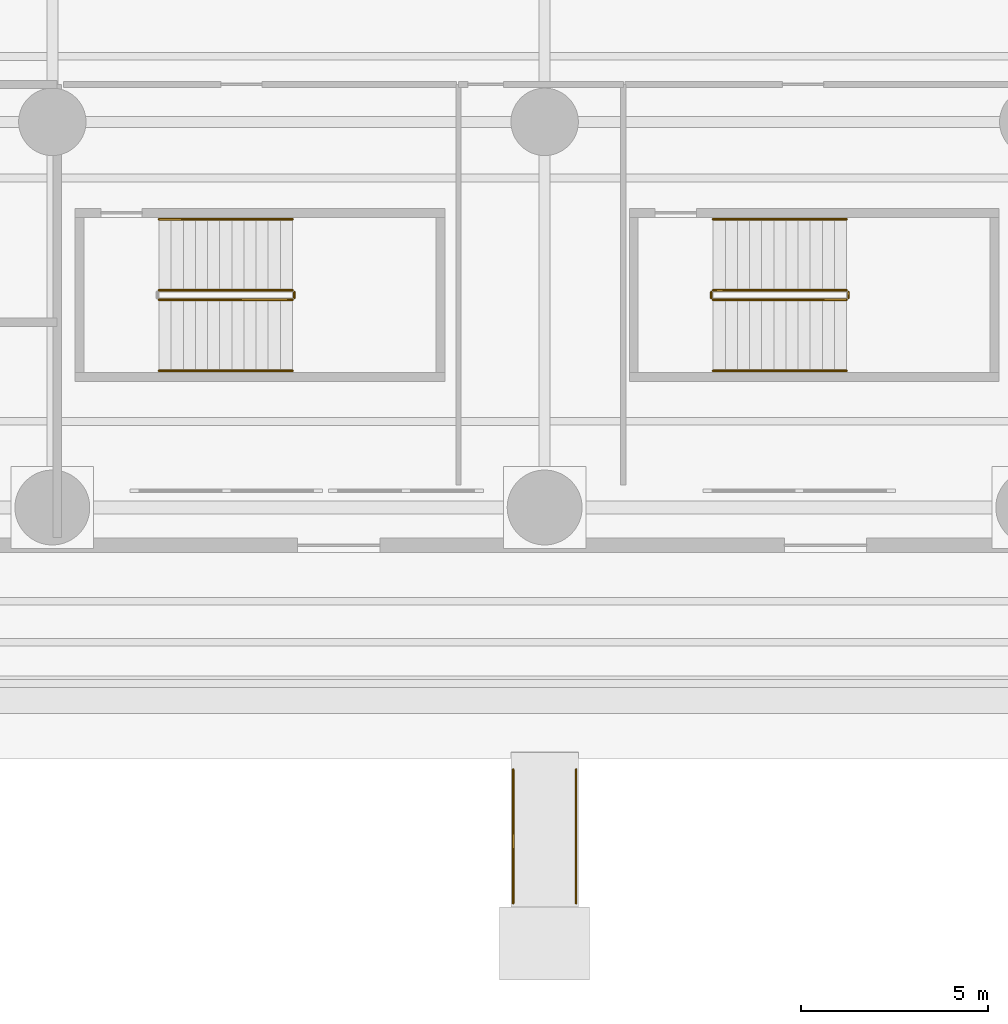
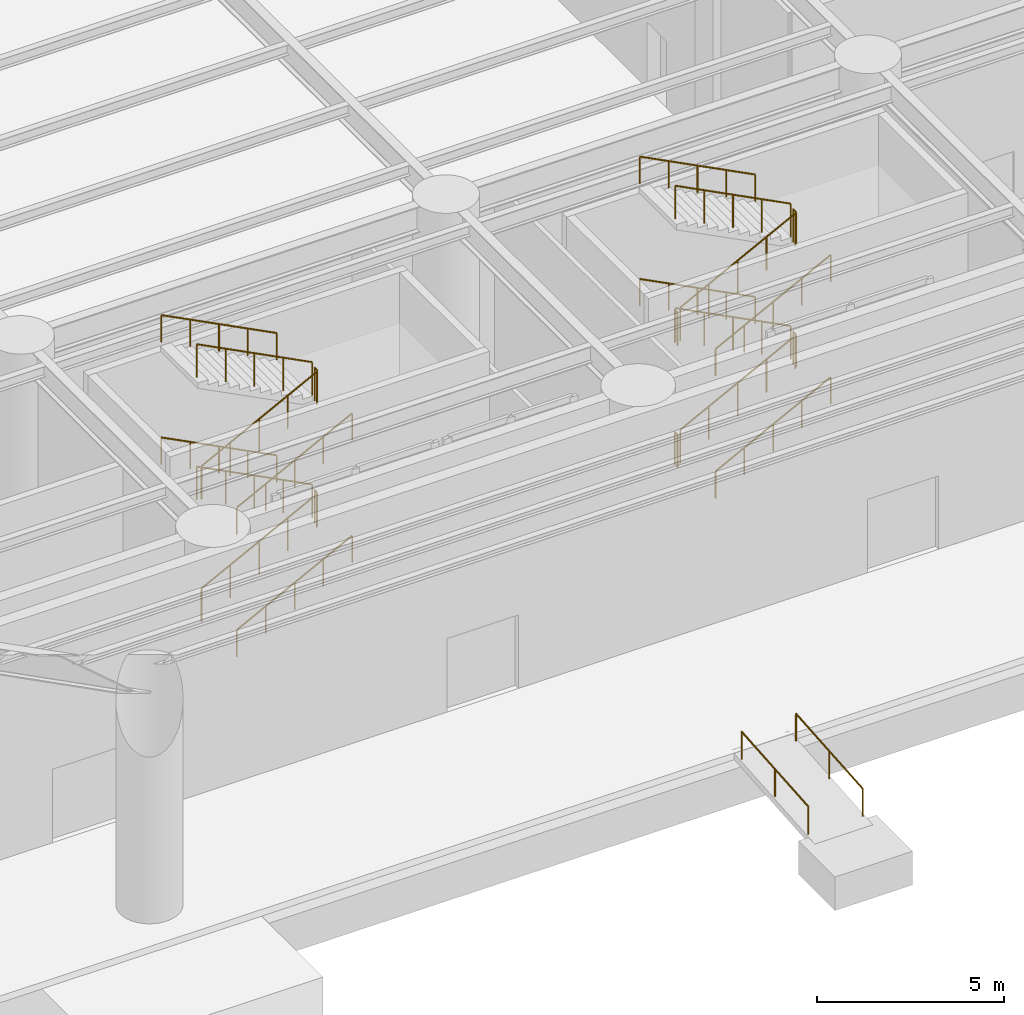
# One storey, part 17 of 25: 24 railings.
"""IFC4 building model written with IfcOpenShell, lengths in metres."""

from ifc_helpers import new_model, si_unit, direction, frame, origin, origin_2d, place, context, subcontext, project, spatial, circle, extrude, material, type_object, element, save


model = new_model("IFC4")

# Units and contexts
model_context = context("Model", 3, precision=1e-05, world=origin(), true_north=direction((0.0, 1.0)))
body_context = subcontext(model_context, "Body", "Model", "MODEL_VIEW")
ifc_project = project(units=[si_unit("LENGTHUNIT", "METRE"), si_unit("AREAUNIT", "SQUARE_METRE"), si_unit("VOLUMEUNIT", "CUBIC_METRE"), si_unit("PLANEANGLEUNIT", "RADIAN"), si_unit("MASSUNIT", "GRAM", prefix="KILO")], contexts=[model_context])

# Site, building, storey
site_placement = place(None, origin())
site = spatial("IfcSite", under=ifc_project, at=site_placement, CompositionType="ELEMENT")
building_placement = place(site_placement, origin())
building = spatial("IfcBuilding", under=site, at=building_placement, Name="Kolvaren Arena Tower", CompositionType="ELEMENT")
storey_placement = place(building_placement, origin())
storey = spatial("IfcBuildingStorey", under=building, at=storey_placement, Name="L00", CompositionType="ELEMENT", Elevation=0.0)

# Railings
ifc_material_1 = material(Name="Painted galvanized steel", Category="steel")
railing_type_1 = type_object("IfcRailingType", Name="GUARD-ST-110", PredefinedType="GUARDRAIL", material=ifc_material_1)
railing_1_placement = place(storey_placement, frame((27.199951171875, 6.75, 0.166748046875)))
element("IfcRailing", 1, at=railing_1_placement, inside=storey, type_object=railing_type_1, Name="L00 ST-A2 stair guard 1", PredefinedType="GUARDRAIL", context=body_context, shape_type="SweptSolid", body=[
    extrude(circle(Radius=0.02392578125, at=origin_2d()), frame((0.0, 0.0, 1.076171875), z_axis=(0.889251698267, 0.0, 0.45741820813), x_axis=(0.0, 1.0, 0.0)), (0.0, 0.0, 1.0), 4.0078125),
    extrude(circle(Radius=0.02099609375, at=origin_2d()), origin(), (0.0, 0.0, 1.0), 1.052001953125),
    extrude(circle(Radius=0.02099609375, at=origin_2d()), frame((0.89111328125, 0.0, 0.458251953125)), (0.0, 0.0, 1.0), 1.052001953125),
    extrude(circle(Radius=0.02099609375, at=origin_2d()), frame((1.781982421875, 0.0, 0.91650390625)), (0.0, 0.0, 1.0), 1.052001953125),
    extrude(circle(Radius=0.02099609375, at=origin_2d()), frame((2.6728515625, 0.0, 1.375)), (0.0, 0.0, 1.0), 1.052001953125),
    extrude(circle(Radius=0.02099609375, at=origin_2d()), frame((3.56396484375, 0.0, 1.833251953125)), (0.0, 0.0, 1.0), 1.052001953125),
])
railing_2_placement = place(storey_placement, frame((30.81396484375, 6.800048828125, 2.0)))
element("IfcRailing", 2, at=railing_2_placement, inside=storey, type_object=railing_type_1, Name="L00 ST-A2 stair guard 2", PredefinedType="GUARDRAIL", context=body_context, shape_type="SweptSolid", body=[
    extrude(circle(Radius=0.02392578125, at=origin_2d()), frame((0.0, 0.0, 1.076171875), z_axis=(0.0, 1.0, 0.0), x_axis=(-1.0, 0.0, 0.0)), (0.0, 0.0, 1.0), 0.14990234375),
    extrude(circle(Radius=0.02099609375, at=origin_2d()), origin(), (0.0, 0.0, 1.0), 1.052001953125),
    extrude(circle(Radius=0.02099609375, at=origin_2d()), frame((0.0, 0.14990234375, 0.0)), (0.0, 0.0, 1.0), 1.052001953125),
])
railing_3_placement = place(storey_placement, frame((30.763916015625, 7.0, 2.166748046875)))
element("IfcRailing", 3, at=railing_3_placement, inside=storey, type_object=railing_type_1, Name="L00 ST-A2 stair guard 3", PredefinedType="GUARDRAIL", context=body_context, shape_type="SweptSolid", body=[
    extrude(circle(Radius=0.02392578125, at=origin_2d()), frame((0.0, 0.0, 1.076171875), z_axis=(-0.889251698267, 0.0, 0.45741820813), x_axis=(0.0, -1.0, 0.0)), (0.0, 0.0, 1.0), 4.0078125),
    extrude(circle(Radius=0.02099609375, at=origin_2d()), origin(), (0.0, 0.0, 1.0), 1.052001953125),
    extrude(circle(Radius=0.02099609375, at=origin_2d()), frame((-0.89111328125, 0.0, 0.458251953125)), (0.0, 0.0, 1.0), 1.052001953125),
    extrude(circle(Radius=0.02099609375, at=origin_2d()), frame((-1.781982421875, 0.0, 0.91650390625)), (0.0, 0.0, 1.0), 1.052001953125),
    extrude(circle(Radius=0.02099609375, at=origin_2d()), frame((-2.6728515625, 0.0, 1.375)), (0.0, 0.0, 1.0), 1.052001953125),
    extrude(circle(Radius=0.02099609375, at=origin_2d()), frame((-3.56396484375, 0.0, 1.833251953125)), (0.0, 0.0, 1.0), 1.052001953125),
])
railing_4_placement = place(storey_placement, frame((27.199951171875, 6.75, 4.166748046875)))
element("IfcRailing", 4, at=railing_4_placement, inside=storey, type_object=railing_type_1, Name="L00 ST-A2 stair guard 5", PredefinedType="GUARDRAIL", context=body_context, shape_type="SweptSolid", body=[
    extrude(circle(Radius=0.02392578125, at=origin_2d()), frame((0.0, 0.0, 1.076171875), z_axis=(0.889251698267, 0.0, 0.45741820813), x_axis=(0.0, 1.0, 0.0)), (0.0, 0.0, 1.0), 4.0078125),
    extrude(circle(Radius=0.02099609375, at=origin_2d()), origin(), (0.0, 0.0, 1.0), 1.052001953125),
    extrude(circle(Radius=0.02099609375, at=origin_2d()), frame((0.89111328125, 0.0, 0.458251953125)), (0.0, 0.0, 1.0), 1.052001953125),
    extrude(circle(Radius=0.02099609375, at=origin_2d()), frame((1.781982421875, 0.0, 0.91650390625)), (0.0, 0.0, 1.0), 1.052001953125),
    extrude(circle(Radius=0.02099609375, at=origin_2d()), frame((2.6728515625, 0.0, 1.375)), (0.0, 0.0, 1.0), 1.052001953125),
    extrude(circle(Radius=0.02099609375, at=origin_2d()), frame((3.56396484375, 0.0, 1.833251953125)), (0.0, 0.0, 1.0), 1.052001953125),
])
railing_5_placement = place(storey_placement, frame((30.81396484375, 6.800048828125, 6.0)))
element("IfcRailing", 5, at=railing_5_placement, inside=storey, type_object=railing_type_1, Name="L00 ST-A2 stair guard 6", PredefinedType="GUARDRAIL", context=body_context, shape_type="SweptSolid", body=[
    extrude(circle(Radius=0.02392578125, at=origin_2d()), frame((0.0, 0.0, 1.076171875), z_axis=(0.0, 1.0, 0.0), x_axis=(-1.0, 0.0, 0.0)), (0.0, 0.0, 1.0), 0.14990234375),
    extrude(circle(Radius=0.02099609375, at=origin_2d()), origin(), (0.0, 0.0, 1.0), 1.052001953125),
    extrude(circle(Radius=0.02099609375, at=origin_2d()), frame((0.0, 0.14990234375, 0.0)), (0.0, 0.0, 1.0), 1.052001953125),
])
railing_6_placement = place(storey_placement, frame((30.763916015625, 7.0, 6.166748046875)))
element("IfcRailing", 6, at=railing_6_placement, inside=storey, type_object=railing_type_1, Name="L00 ST-A2 stair guard 7", PredefinedType="GUARDRAIL", context=body_context, shape_type="SweptSolid", body=[
    extrude(circle(Radius=0.02392578125, at=origin_2d()), frame((0.0, 0.0, 1.076171875), z_axis=(-0.889251698267, 0.0, 0.45741820813), x_axis=(0.0, -1.0, 0.0)), (0.0, 0.0, 1.0), 4.0078125),
    extrude(circle(Radius=0.02099609375, at=origin_2d()), origin(), (0.0, 0.0, 1.0), 1.052001953125),
    extrude(circle(Radius=0.02099609375, at=origin_2d()), frame((-0.89111328125, 0.0, 0.458251953125)), (0.0, 0.0, 1.0), 1.052001953125),
    extrude(circle(Radius=0.02099609375, at=origin_2d()), frame((-1.781982421875, 0.0, 0.91650390625)), (0.0, 0.0, 1.0), 1.052001953125),
    extrude(circle(Radius=0.02099609375, at=origin_2d()), frame((-2.6728515625, 0.0, 1.375)), (0.0, 0.0, 1.0), 1.052001953125),
    extrude(circle(Radius=0.02099609375, at=origin_2d()), frame((-3.56396484375, 0.0, 1.833251953125)), (0.0, 0.0, 1.0), 1.052001953125),
])
railing_7_placement = place(storey_placement, frame((42.0, 6.75, 0.166748046875)))
element("IfcRailing", 7, at=railing_7_placement, inside=storey, type_object=railing_type_1, Name="L00 ST-A3 stair guard 1", PredefinedType="GUARDRAIL", context=body_context, shape_type="SweptSolid", body=[
    extrude(circle(Radius=0.02392578125, at=origin_2d()), frame((0.0, 0.0, 1.076171875), z_axis=(0.889251698267, 0.0, 0.45741820813), x_axis=(0.0, 1.0, 0.0)), (0.0, 0.0, 1.0), 4.0078125),
    extrude(circle(Radius=0.02099609375, at=origin_2d()), origin(), (0.0, 0.0, 1.0), 1.052001953125),
    extrude(circle(Radius=0.02099609375, at=origin_2d()), frame((0.89111328125, 0.0, 0.458251953125)), (0.0, 0.0, 1.0), 1.052001953125),
    extrude(circle(Radius=0.02099609375, at=origin_2d()), frame((1.781982421875, 0.0, 0.91650390625)), (0.0, 0.0, 1.0), 1.052001953125),
    extrude(circle(Radius=0.02099609375, at=origin_2d()), frame((2.6728515625, 0.0, 1.375)), (0.0, 0.0, 1.0), 1.052001953125),
    extrude(circle(Radius=0.02099609375, at=origin_2d()), frame((3.56396484375, 0.0, 1.833251953125)), (0.0, 0.0, 1.0), 1.052001953125),
])
railing_8_placement = place(storey_placement, frame((45.614013671875, 6.800048828125, 2.0)))
element("IfcRailing", 8, at=railing_8_placement, inside=storey, type_object=railing_type_1, Name="L00 ST-A3 stair guard 2", PredefinedType="GUARDRAIL", context=body_context, shape_type="SweptSolid", body=[
    extrude(circle(Radius=0.02392578125, at=origin_2d()), frame((0.0, 0.0, 1.076171875), z_axis=(0.0, 1.0, 0.0), x_axis=(-1.0, 0.0, 0.0)), (0.0, 0.0, 1.0), 0.14990234375),
    extrude(circle(Radius=0.02099609375, at=origin_2d()), origin(), (0.0, 0.0, 1.0), 1.052001953125),
    extrude(circle(Radius=0.02099609375, at=origin_2d()), frame((0.0, 0.14990234375, 0.0)), (0.0, 0.0, 1.0), 1.052001953125),
])
railing_9_placement = place(storey_placement, frame((45.56396484375, 7.0, 2.166748046875)))
element("IfcRailing", 9, at=railing_9_placement, inside=storey, type_object=railing_type_1, Name="L00 ST-A3 stair guard 3", PredefinedType="GUARDRAIL", context=body_context, shape_type="SweptSolid", body=[
    extrude(circle(Radius=0.02392578125, at=origin_2d()), frame((0.0, 0.0, 1.076171875), z_axis=(-0.889251698267, 0.0, 0.45741820813), x_axis=(0.0, -1.0, 0.0)), (0.0, 0.0, 1.0), 4.0078125),
    extrude(circle(Radius=0.02099609375, at=origin_2d()), origin(), (0.0, 0.0, 1.0), 1.052001953125),
    extrude(circle(Radius=0.02099609375, at=origin_2d()), frame((-0.89111328125, 0.0, 0.458251953125)), (0.0, 0.0, 1.0), 1.052001953125),
    extrude(circle(Radius=0.02099609375, at=origin_2d()), frame((-1.781982421875, 0.0, 0.91650390625)), (0.0, 0.0, 1.0), 1.052001953125),
    extrude(circle(Radius=0.02099609375, at=origin_2d()), frame((-2.6728515625, 0.0, 1.375)), (0.0, 0.0, 1.0), 1.052001953125),
    extrude(circle(Radius=0.02099609375, at=origin_2d()), frame((-3.56396484375, 0.0, 1.833251953125)), (0.0, 0.0, 1.0), 1.052001953125),
])
railing_10_placement = place(storey_placement, frame((41.949951171875, 6.800048828125, 4.0)))
element("IfcRailing", 10, at=railing_10_placement, inside=storey, type_object=railing_type_1, Name="L00 ST-A3 stair guard 4", PredefinedType="GUARDRAIL", context=body_context, shape_type="SweptSolid", body=[
    extrude(circle(Radius=0.02392578125, at=origin_2d()), frame((0.0, 0.0, 1.076171875), z_axis=(0.0, 1.0, 0.0), x_axis=(-1.0, 0.0, 0.0)), (0.0, 0.0, 1.0), 0.14990234375),
    extrude(circle(Radius=0.02099609375, at=origin_2d()), origin(), (0.0, 0.0, 1.0), 1.052001953125),
    extrude(circle(Radius=0.02099609375, at=origin_2d()), frame((0.0, 0.14990234375, 0.0)), (0.0, 0.0, 1.0), 1.052001953125),
])
railing_11_placement = place(storey_placement, frame((42.0, 6.75, 4.166748046875)))
element("IfcRailing", 11, at=railing_11_placement, inside=storey, type_object=railing_type_1, Name="L00 ST-A3 stair guard 5", PredefinedType="GUARDRAIL", context=body_context, shape_type="SweptSolid", body=[
    extrude(circle(Radius=0.02392578125, at=origin_2d()), frame((0.0, 0.0, 1.076171875), z_axis=(0.889251698267, 0.0, 0.45741820813), x_axis=(0.0, 1.0, 0.0)), (0.0, 0.0, 1.0), 4.0078125),
    extrude(circle(Radius=0.02099609375, at=origin_2d()), origin(), (0.0, 0.0, 1.0), 1.052001953125),
    extrude(circle(Radius=0.02099609375, at=origin_2d()), frame((0.89111328125, 0.0, 0.458251953125)), (0.0, 0.0, 1.0), 1.052001953125),
    extrude(circle(Radius=0.02099609375, at=origin_2d()), frame((1.781982421875, 0.0, 0.91650390625)), (0.0, 0.0, 1.0), 1.052001953125),
    extrude(circle(Radius=0.02099609375, at=origin_2d()), frame((2.6728515625, 0.0, 1.375)), (0.0, 0.0, 1.0), 1.052001953125),
    extrude(circle(Radius=0.02099609375, at=origin_2d()), frame((3.56396484375, 0.0, 1.833251953125)), (0.0, 0.0, 1.0), 1.052001953125),
])
railing_12_placement = place(storey_placement, frame((45.614013671875, 6.800048828125, 6.0)))
element("IfcRailing", 12, at=railing_12_placement, inside=storey, type_object=railing_type_1, Name="L00 ST-A3 stair guard 6", PredefinedType="GUARDRAIL", context=body_context, shape_type="SweptSolid", body=[
    extrude(circle(Radius=0.02392578125, at=origin_2d()), frame((0.0, 0.0, 1.076171875), z_axis=(0.0, 1.0, 0.0), x_axis=(-1.0, 0.0, 0.0)), (0.0, 0.0, 1.0), 0.14990234375),
    extrude(circle(Radius=0.02099609375, at=origin_2d()), origin(), (0.0, 0.0, 1.0), 1.052001953125),
    extrude(circle(Radius=0.02099609375, at=origin_2d()), frame((0.0, 0.14990234375, 0.0)), (0.0, 0.0, 1.0), 1.052001953125),
])
railing_13_placement = place(storey_placement, frame((45.56396484375, 7.0, 6.166748046875)))
element("IfcRailing", 13, at=railing_13_placement, inside=storey, type_object=railing_type_1, Name="L00 ST-A3 stair guard 7", PredefinedType="GUARDRAIL", context=body_context, shape_type="SweptSolid", body=[
    extrude(circle(Radius=0.02392578125, at=origin_2d()), frame((0.0, 0.0, 1.076171875), z_axis=(-0.889251698267, 0.0, 0.45741820813), x_axis=(0.0, -1.0, 0.0)), (0.0, 0.0, 1.0), 4.0078125),
    extrude(circle(Radius=0.02099609375, at=origin_2d()), origin(), (0.0, 0.0, 1.0), 1.052001953125),
    extrude(circle(Radius=0.02099609375, at=origin_2d()), frame((-0.89111328125, 0.0, 0.458251953125)), (0.0, 0.0, 1.0), 1.052001953125),
    extrude(circle(Radius=0.02099609375, at=origin_2d()), frame((-1.781982421875, 0.0, 0.91650390625)), (0.0, 0.0, 1.0), 1.052001953125),
    extrude(circle(Radius=0.02099609375, at=origin_2d()), frame((-2.6728515625, 0.0, 1.375)), (0.0, 0.0, 1.0), 1.052001953125),
    extrude(circle(Radius=0.02099609375, at=origin_2d()), frame((-3.56396484375, 0.0, 1.833251953125)), (0.0, 0.0, 1.0), 1.052001953125),
])
railing_14_placement = place(storey_placement, frame((41.949951171875, 6.800048828125, 0.0)))
element("IfcRailing", 14, at=railing_14_placement, inside=storey, type_object=railing_type_1, Name="L00 ST-A3 stair guard 8", PredefinedType="GUARDRAIL", context=body_context, shape_type="SweptSolid", body=[
    extrude(circle(Radius=0.02392578125, at=origin_2d()), frame((0.0, 0.0, 1.076171875), z_axis=(0.0, 1.0, 0.0), x_axis=(-1.0, 0.0, 0.0)), (0.0, 0.0, 1.0), 0.14990234375),
    extrude(circle(Radius=0.02099609375, at=origin_2d()), origin(), (0.0, 0.0, 1.0), 1.052001953125),
    extrude(circle(Radius=0.02099609375, at=origin_2d()), frame((0.0, 0.14990234375, 0.0)), (0.0, 0.0, 1.0), 1.052001953125),
])
ifc_material_2 = material(Name="Brushed stainless steel handrail", Category="steel")
railing_type_2 = type_object("IfcRailingType", Name="HRAIL-900", PredefinedType="HANDRAIL", material=ifc_material_2)
for number, where, name in (
    (15, (36.659912109375, -9.3701171875, -0.322509765625), "Barrier-Free Ramp Handrail BR-02"),
    (16, (38.340087890625, -9.3701171875, -0.322509765625), "Barrier-Free Ramp Handrail BR-02"),
):
    element("IfcRailing", number, at=place(storey_placement, frame(where)), inside=storey, type_object=railing_type_2, Name=name, PredefinedType="HANDRAIL", context=body_context, shape_type="SweptSolid", body=[
        extrude(circle(Radius=0.02392578125, at=origin_2d()), frame((0.0, 0.0, 0.89599609375), z_axis=(0.0, 0.996830649407, 0.079552852893), x_axis=(-1.0, 0.0, 0.0)), (0.0, 0.0, 1.0), 3.581298828125),
        extrude(circle(Radius=0.02099609375, at=origin_2d()), origin(), (0.0, 0.0, 1.0), 0.871826171875),
        extrude(circle(Radius=0.02099609375, at=origin_2d()), frame((0.0, 1.78515625, 0.142578125)), (0.0, 0.0, 1.0), 0.871826171875),
        extrude(circle(Radius=0.02099609375, at=origin_2d()), frame((0.0, 3.570068359375, 0.284912109375)), (0.0, 0.0, 1.0), 0.871826171875),
    ])
railing_15_placement = place(storey_placement, frame((27.199951171875, 4.85009765625, 0.166748046875)))
element("IfcRailing", 17, at=railing_15_placement, inside=storey, type_object=railing_type_2, Name="L00 ST-A2 stair handrail 1", PredefinedType="HANDRAIL", context=body_context, shape_type="SweptSolid", body=[
    extrude(circle(Radius=0.02392578125, at=origin_2d()), frame((0.0, 0.0, 0.8759765625), z_axis=(0.889251698267, 0.0, 0.45741820813), x_axis=(0.0, 1.0, 0.0)), (0.0, 0.0, 1.0), 4.0078125),
    extrude(circle(Radius=0.02099609375, at=origin_2d()), origin(), (0.0, 0.0, 1.0), 0.851806640625),
    extrude(circle(Radius=0.02099609375, at=origin_2d()), frame((0.89111328125, 0.0, 0.458251953125)), (0.0, 0.0, 1.0), 0.851806640625),
    extrude(circle(Radius=0.02099609375, at=origin_2d()), frame((1.781982421875, 0.0, 0.91650390625)), (0.0, 0.0, 1.0), 0.851806640625),
    extrude(circle(Radius=0.02099609375, at=origin_2d()), frame((2.6728515625, 0.0, 1.375)), (0.0, 0.0, 1.0), 0.851806640625),
    extrude(circle(Radius=0.02099609375, at=origin_2d()), frame((3.56396484375, 0.0, 1.833251953125)), (0.0, 0.0, 1.0), 0.851806640625),
])
railing_16_placement = place(storey_placement, frame((30.763916015625, 8.89990234375, 2.166748046875)))
element("IfcRailing", 18, at=railing_16_placement, inside=storey, type_object=railing_type_2, Name="L00 ST-A2 stair handrail 2", PredefinedType="HANDRAIL", context=body_context, shape_type="SweptSolid", body=[
    extrude(circle(Radius=0.02392578125, at=origin_2d()), frame((0.0, 0.0, 0.8759765625), z_axis=(-0.889251698267, 0.0, 0.45741820813), x_axis=(0.0, -1.0, 0.0)), (0.0, 0.0, 1.0), 4.0078125),
    extrude(circle(Radius=0.02099609375, at=origin_2d()), origin(), (0.0, 0.0, 1.0), 0.851806640625),
    extrude(circle(Radius=0.02099609375, at=origin_2d()), frame((-0.89111328125, 0.0, 0.458251953125)), (0.0, 0.0, 1.0), 0.851806640625),
    extrude(circle(Radius=0.02099609375, at=origin_2d()), frame((-1.781982421875, 0.0, 0.91650390625)), (0.0, 0.0, 1.0), 0.851806640625),
    extrude(circle(Radius=0.02099609375, at=origin_2d()), frame((-2.6728515625, 0.0, 1.375)), (0.0, 0.0, 1.0), 0.851806640625),
    extrude(circle(Radius=0.02099609375, at=origin_2d()), frame((-3.56396484375, 0.0, 1.833251953125)), (0.0, 0.0, 1.0), 0.851806640625),
])
railing_17_placement = place(storey_placement, frame((27.199951171875, 4.85009765625, 4.166748046875)))
element("IfcRailing", 19, at=railing_17_placement, inside=storey, type_object=railing_type_2, Name="L00 ST-A2 stair handrail 3", PredefinedType="HANDRAIL", context=body_context, shape_type="SweptSolid", body=[
    extrude(circle(Radius=0.02392578125, at=origin_2d()), frame((0.0, 0.0, 0.8759765625), z_axis=(0.889251698267, 0.0, 0.45741820813), x_axis=(0.0, 1.0, 0.0)), (0.0, 0.0, 1.0), 4.0078125),
    extrude(circle(Radius=0.02099609375, at=origin_2d()), origin(), (0.0, 0.0, 1.0), 0.851806640625),
    extrude(circle(Radius=0.02099609375, at=origin_2d()), frame((0.89111328125, 0.0, 0.458251953125)), (0.0, 0.0, 1.0), 0.851806640625),
    extrude(circle(Radius=0.02099609375, at=origin_2d()), frame((1.781982421875, 0.0, 0.91650390625)), (0.0, 0.0, 1.0), 0.851806640625),
    extrude(circle(Radius=0.02099609375, at=origin_2d()), frame((2.6728515625, 0.0, 1.375)), (0.0, 0.0, 1.0), 0.851806640625),
    extrude(circle(Radius=0.02099609375, at=origin_2d()), frame((3.56396484375, 0.0, 1.833251953125)), (0.0, 0.0, 1.0), 0.851806640625),
])
railing_18_placement = place(storey_placement, frame((30.763916015625, 8.89990234375, 6.166748046875)))
element("IfcRailing", 20, at=railing_18_placement, inside=storey, type_object=railing_type_2, Name="L00 ST-A2 stair handrail 4", PredefinedType="HANDRAIL", context=body_context, shape_type="SweptSolid", body=[
    extrude(circle(Radius=0.02392578125, at=origin_2d()), frame((0.0, 0.0, 0.8759765625), z_axis=(-0.889251698267, 0.0, 0.45741820813), x_axis=(0.0, -1.0, 0.0)), (0.0, 0.0, 1.0), 4.0078125),
    extrude(circle(Radius=0.02099609375, at=origin_2d()), origin(), (0.0, 0.0, 1.0), 0.851806640625),
    extrude(circle(Radius=0.02099609375, at=origin_2d()), frame((-0.89111328125, 0.0, 0.458251953125)), (0.0, 0.0, 1.0), 0.851806640625),
    extrude(circle(Radius=0.02099609375, at=origin_2d()), frame((-1.781982421875, 0.0, 0.91650390625)), (0.0, 0.0, 1.0), 0.851806640625),
    extrude(circle(Radius=0.02099609375, at=origin_2d()), frame((-2.6728515625, 0.0, 1.375)), (0.0, 0.0, 1.0), 0.851806640625),
    extrude(circle(Radius=0.02099609375, at=origin_2d()), frame((-3.56396484375, 0.0, 1.833251953125)), (0.0, 0.0, 1.0), 0.851806640625),
])
railing_19_placement = place(storey_placement, frame((42.0, 4.85009765625, 0.166748046875)))
element("IfcRailing", 21, at=railing_19_placement, inside=storey, type_object=railing_type_2, Name="L00 ST-A3 stair handrail 1", PredefinedType="HANDRAIL", context=body_context, shape_type="SweptSolid", body=[
    extrude(circle(Radius=0.02392578125, at=origin_2d()), frame((0.0, 0.0, 0.8759765625), z_axis=(0.889251698267, 0.0, 0.45741820813), x_axis=(0.0, 1.0, 0.0)), (0.0, 0.0, 1.0), 4.0078125),
    extrude(circle(Radius=0.02099609375, at=origin_2d()), origin(), (0.0, 0.0, 1.0), 0.851806640625),
    extrude(circle(Radius=0.02099609375, at=origin_2d()), frame((0.89111328125, 0.0, 0.458251953125)), (0.0, 0.0, 1.0), 0.851806640625),
    extrude(circle(Radius=0.02099609375, at=origin_2d()), frame((1.781982421875, 0.0, 0.91650390625)), (0.0, 0.0, 1.0), 0.851806640625),
    extrude(circle(Radius=0.02099609375, at=origin_2d()), frame((2.6728515625, 0.0, 1.375)), (0.0, 0.0, 1.0), 0.851806640625),
    extrude(circle(Radius=0.02099609375, at=origin_2d()), frame((3.56396484375, 0.0, 1.833251953125)), (0.0, 0.0, 1.0), 0.851806640625),
])
railing_20_placement = place(storey_placement, frame((45.56396484375, 8.89990234375, 2.166748046875)))
element("IfcRailing", 22, at=railing_20_placement, inside=storey, type_object=railing_type_2, Name="L00 ST-A3 stair handrail 2", PredefinedType="HANDRAIL", context=body_context, shape_type="SweptSolid", body=[
    extrude(circle(Radius=0.02392578125, at=origin_2d()), frame((0.0, 0.0, 0.8759765625), z_axis=(-0.889251698267, 0.0, 0.45741820813), x_axis=(0.0, -1.0, 0.0)), (0.0, 0.0, 1.0), 4.0078125),
    extrude(circle(Radius=0.02099609375, at=origin_2d()), origin(), (0.0, 0.0, 1.0), 0.851806640625),
    extrude(circle(Radius=0.02099609375, at=origin_2d()), frame((-0.89111328125, 0.0, 0.458251953125)), (0.0, 0.0, 1.0), 0.851806640625),
    extrude(circle(Radius=0.02099609375, at=origin_2d()), frame((-1.781982421875, 0.0, 0.91650390625)), (0.0, 0.0, 1.0), 0.851806640625),
    extrude(circle(Radius=0.02099609375, at=origin_2d()), frame((-2.6728515625, 0.0, 1.375)), (0.0, 0.0, 1.0), 0.851806640625),
    extrude(circle(Radius=0.02099609375, at=origin_2d()), frame((-3.56396484375, 0.0, 1.833251953125)), (0.0, 0.0, 1.0), 0.851806640625),
])
railing_21_placement = place(storey_placement, frame((42.0, 4.85009765625, 4.166748046875)))
element("IfcRailing", 23, at=railing_21_placement, inside=storey, type_object=railing_type_2, Name="L00 ST-A3 stair handrail 3", PredefinedType="HANDRAIL", context=body_context, shape_type="SweptSolid", body=[
    extrude(circle(Radius=0.02392578125, at=origin_2d()), frame((0.0, 0.0, 0.8759765625), z_axis=(0.889251698267, 0.0, 0.45741820813), x_axis=(0.0, 1.0, 0.0)), (0.0, 0.0, 1.0), 4.0078125),
    extrude(circle(Radius=0.02099609375, at=origin_2d()), origin(), (0.0, 0.0, 1.0), 0.851806640625),
    extrude(circle(Radius=0.02099609375, at=origin_2d()), frame((0.89111328125, 0.0, 0.458251953125)), (0.0, 0.0, 1.0), 0.851806640625),
    extrude(circle(Radius=0.02099609375, at=origin_2d()), frame((1.781982421875, 0.0, 0.91650390625)), (0.0, 0.0, 1.0), 0.851806640625),
    extrude(circle(Radius=0.02099609375, at=origin_2d()), frame((2.6728515625, 0.0, 1.375)), (0.0, 0.0, 1.0), 0.851806640625),
    extrude(circle(Radius=0.02099609375, at=origin_2d()), frame((3.56396484375, 0.0, 1.833251953125)), (0.0, 0.0, 1.0), 0.851806640625),
])
railing_22_placement = place(storey_placement, frame((45.56396484375, 8.89990234375, 6.166748046875)))
element("IfcRailing", 24, at=railing_22_placement, inside=storey, type_object=railing_type_2, Name="L00 ST-A3 stair handrail 4", PredefinedType="HANDRAIL", context=body_context, shape_type="SweptSolid", body=[
    extrude(circle(Radius=0.02392578125, at=origin_2d()), frame((0.0, 0.0, 0.8759765625), z_axis=(-0.889251698267, 0.0, 0.45741820813), x_axis=(0.0, -1.0, 0.0)), (0.0, 0.0, 1.0), 4.0078125),
    extrude(circle(Radius=0.02099609375, at=origin_2d()), origin(), (0.0, 0.0, 1.0), 0.851806640625),
    extrude(circle(Radius=0.02099609375, at=origin_2d()), frame((-0.89111328125, 0.0, 0.458251953125)), (0.0, 0.0, 1.0), 0.851806640625),
    extrude(circle(Radius=0.02099609375, at=origin_2d()), frame((-1.781982421875, 0.0, 0.91650390625)), (0.0, 0.0, 1.0), 0.851806640625),
    extrude(circle(Radius=0.02099609375, at=origin_2d()), frame((-2.6728515625, 0.0, 1.375)), (0.0, 0.0, 1.0), 0.851806640625),
    extrude(circle(Radius=0.02099609375, at=origin_2d()), frame((-3.56396484375, 0.0, 1.833251953125)), (0.0, 0.0, 1.0), 0.851806640625),
])

save(model, "model.ifc")
